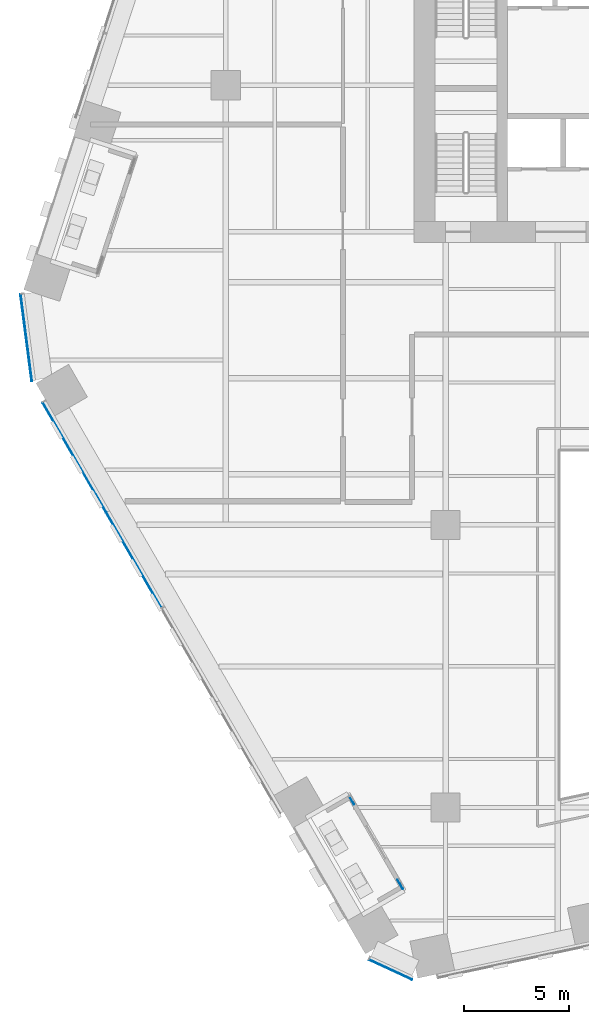
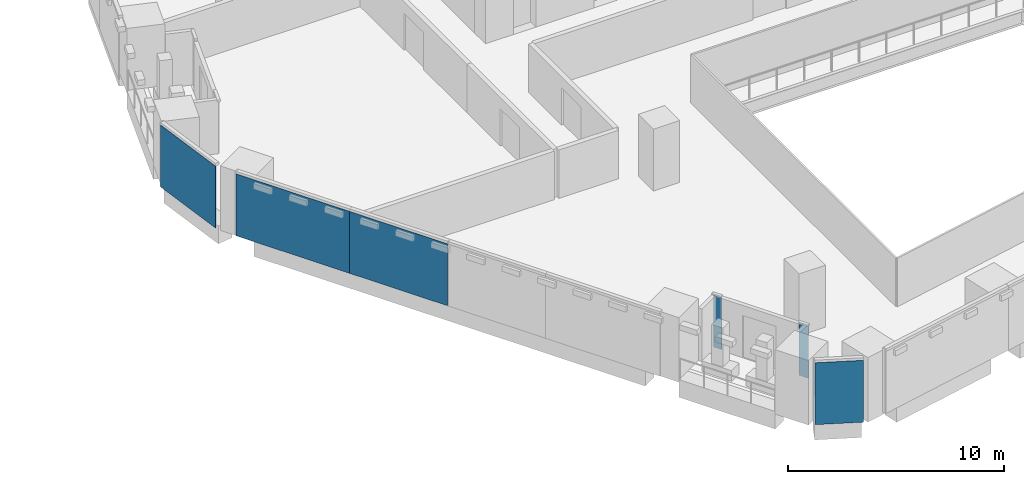
# One storey, part 16 of 31: 6 plates, 4 elements without a shape of their own.
"""IFC4 building model written with IfcOpenShell, lengths in metres."""

from ifc_helpers import new_model, si_unit, direction, frame, origin, origin_2d, place, context, subcontext, project, spatial, rectangle, extrude, material, layer, layer_set, type_object, element, aggregate, save


model = new_model("IFC4")

# Units and contexts
model_context = context("Model", 3, precision=1e-05, world=origin(), true_north=direction((0.0, 1.0)))
body_context = subcontext(model_context, "Body", "Model", "MODEL_VIEW")
ifc_project = project(units=[si_unit("LENGTHUNIT", "METRE"), si_unit("AREAUNIT", "SQUARE_METRE"), si_unit("VOLUMEUNIT", "CUBIC_METRE"), si_unit("PLANEANGLEUNIT", "RADIAN"), si_unit("MASSUNIT", "GRAM", prefix="KILO")], contexts=[model_context])

# Site, building, storey
site_placement = place(None, origin())
site = spatial("IfcSite", under=ifc_project, at=site_placement, CompositionType="ELEMENT")
building_placement = place(site_placement, origin())
building = spatial("IfcBuilding", under=site, at=building_placement, Name="Isthmus Gate Tower", CompositionType="ELEMENT")
storey_placement = place(building_placement, frame((0.0, 0.0, 39.64990234375)))
storey = spatial("IfcBuildingStorey", under=building, at=storey_placement, Name="L07", CompositionType="ELEMENT", Elevation=39.64990234375)

# Curtain wall, plate
ifc_material_1 = material(Name="Aluminium, pale champagne anodised", Category="aluminium")
ifc_layer_1 = layer(ifc_material_1, 0.199951171875)
ifc_layer_set_1 = layer_set([ifc_layer_1], Name="CW-1 UNITISED CURTAIN WALL 200 DEEP")
curtain_wall_type_1 = type_object("IfcCurtainWallType", Name="CW-1 UNITISED CURTAIN WALL 200 DEEP", PredefinedType="NOTDEFINED", material=ifc_layer_set_1)
curtain_wall_1_placement = place(storey_placement, origin())
curtain_wall_1 = element("IfcCurtainWall", 1, at=curtain_wall_1_placement, inside=storey, type_object=curtain_wall_type_1, Name="CW-1 NW-SW L07", PredefinedType="NOTDEFINED")
ifc_material_2 = material(Name="Laminated low-iron glass, pale blue tint", Category="glass")
ifc_layer_2 = layer(ifc_material_2, 0.0400390625)
ifc_layer_set_2 = layer_set([ifc_layer_2], Name="CW-1 CLEAR GLASS LITE 40")
plate_type_1 = type_object("IfcPlateType", Name="CW-1 CLEAR GLASS LITE 40", PredefinedType="CURTAIN_PANEL", material=ifc_layer_set_2)
plate_1_placement = place(storey_placement, frame((-33.5283203125, -4.558349609375, 0.0), z_axis=(0.0, 0.0, 1.0), x_axis=(0.129164534, -0.991623175988, 0.0)))
plate_1 = element("IfcPlate", 2, at=plate_1_placement, type_object=plate_type_1, Name="CW-1 glass lite", PredefinedType="CURTAIN_PANEL", context=body_context, shape_type="SweptSolid", body=[
    extrude(rectangle(XDim=4.181396484375, YDim=0.0400390625, at=origin_2d()), origin(), (0.0, 0.0, 1.0), 3.5),
])
aggregate(curtain_wall_1, [plate_1])

# Curtain wall, plates
curtain_wall_2_placement = place(storey_placement, origin())
curtain_wall_2 = element("IfcCurtainWall", 3, at=curtain_wall_2_placement, inside=storey, type_object=curtain_wall_type_1, Name="CW-1 SW L07", PredefinedType="NOTDEFINED")
plate_2_placement = place(storey_placement, frame((-31.22119140625, -10.283203125, 0.0), z_axis=(0.0, 0.0, 1.0), x_axis=(0.5, -0.866025403784, 0.0)))
plate_2 = element("IfcPlate", 4, at=plate_2_placement, type_object=plate_type_1, Name="CW-1 glass lite", PredefinedType="CURTAIN_PANEL", context=body_context, shape_type="SweptSolid", body=[
    extrude(rectangle(XDim=6.07373046875, YDim=0.0400390625, at=origin_2d()), origin(), (0.0, 0.0, 1.0), 3.5),
])
plate_3_placement = place(storey_placement, frame((-28.394287109375, -15.179443359375, 0.0), z_axis=(0.0, 0.0, 1.0), x_axis=(0.5, -0.866025403784, 0.0)))
plate_3 = element("IfcPlate", 5, at=plate_3_placement, type_object=plate_type_1, Name="CW-1 glass lite", PredefinedType="CURTAIN_PANEL", context=body_context, shape_type="SweptSolid", body=[
    extrude(rectangle(XDim=5.233642578125, YDim=0.0400390625, at=origin_2d()), origin(), (0.0, 0.0, 1.0), 3.5),
])
aggregate(curtain_wall_2, [plate_2, plate_3])

# Curtain wall, plate
curtain_wall_3_placement = place(storey_placement, origin())
curtain_wall_3 = element("IfcCurtainWall", 6, at=curtain_wall_3_placement, inside=storey, type_object=curtain_wall_type_1, Name="CW-1 SW-S L07", PredefinedType="NOTDEFINED")
plate_4_placement = place(storey_placement, frame((-16.1298828125, -34.7451171875, 0.0), z_axis=(0.0, 0.0, 1.0), x_axis=(0.907256261367, -0.420578264073, 0.0)))
plate_4 = element("IfcPlate", 7, at=plate_4_placement, type_object=plate_type_1, Name="CW-1 glass lite", PredefinedType="CURTAIN_PANEL", context=body_context, shape_type="SweptSolid", body=[
    extrude(rectangle(XDim=2.258544921875, YDim=0.0400390625, at=origin_2d()), origin(), (0.0, 0.0, 1.0), 3.5),
])
aggregate(curtain_wall_3, [plate_4])

# Curtain wall, plates
ifc_material_3 = material(Name="Aluminium, pale champagne anodised", Category="aluminium")
ifc_layer_3 = layer(ifc_material_3, 0.14990234375)
ifc_layer_set_3 = layer_set([ifc_layer_3], Name="CW-6 LOGGIA BACK WALL GLAZING 150 DEEP")
curtain_wall_type_2 = type_object("IfcCurtainWallType", Name="CW-6 LOGGIA BACK WALL GLAZING 150 DEEP", PredefinedType="NOTDEFINED", material=ifc_layer_set_3)
curtain_wall_4_placement = place(storey_placement, origin())
curtain_wall_4 = element("IfcCurtainWall", 8, at=curtain_wall_4_placement, inside=storey, type_object=curtain_wall_type_2, Name="CW-6 SW L07", PredefinedType="NOTDEFINED")
ifc_material_4 = material(Name="Laminated low-iron glass, clear", Category="glass")
ifc_layer_4 = layer(ifc_material_4, 0.031982421875)
ifc_layer_set_4 = layer_set([ifc_layer_4], Name="CW-6 CLEAR GLASS LITE 32")
plate_type_2 = type_object("IfcPlateType", Name="CW-6 CLEAR GLASS LITE 32", PredefinedType="CURTAIN_PANEL", material=ifc_layer_set_4)
plate_5_placement = place(storey_placement, frame((-17.971923828125, -26.671875, 0.0), z_axis=(0.0, 0.0, 1.0), x_axis=(0.5, -0.866025403784, 0.0)))
plate_5 = element("IfcPlate", 9, at=plate_5_placement, type_object=plate_type_2, Name="CW-6 glass lite", PredefinedType="CURTAIN_PANEL", context=body_context, shape_type="SweptSolid", body=[
    extrude(rectangle(XDim=0.43994140625, YDim=0.031982421875, at=origin_2d()), origin(), (0.0, 0.0, 1.0), 2.929931640625),
])
plate_6_placement = place(storey_placement, frame((-15.6650390625, -30.66748046875, 0.0), z_axis=(0.0, 0.0, 1.0), x_axis=(0.5, -0.866025403784, 0.0)))
plate_6 = element("IfcPlate", 10, at=plate_6_placement, type_object=plate_type_2, Name="CW-6 glass lite", PredefinedType="CURTAIN_PANEL", context=body_context, shape_type="SweptSolid", body=[
    extrude(rectangle(XDim=0.5, YDim=0.031982421875, at=origin_2d()), origin(), (0.0, 0.0, 1.0), 2.929931640625),
])
aggregate(curtain_wall_4, [plate_5, plate_6])

save(model, "model.ifc")
